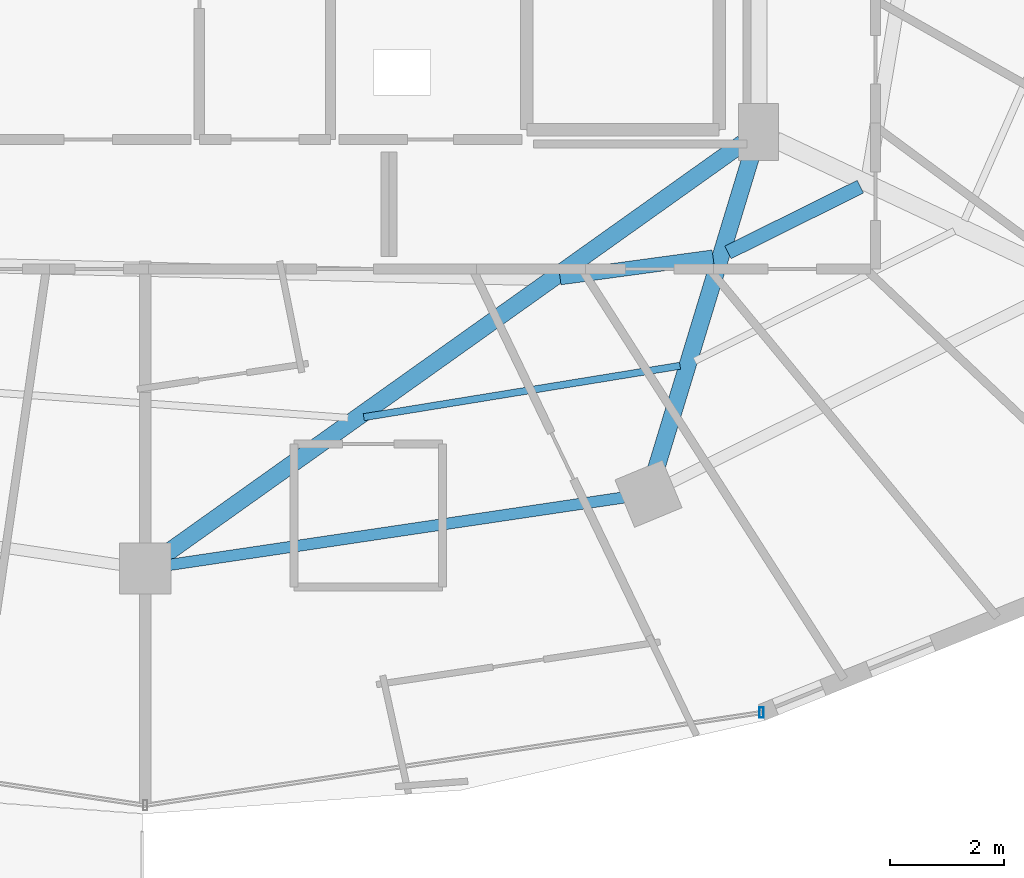
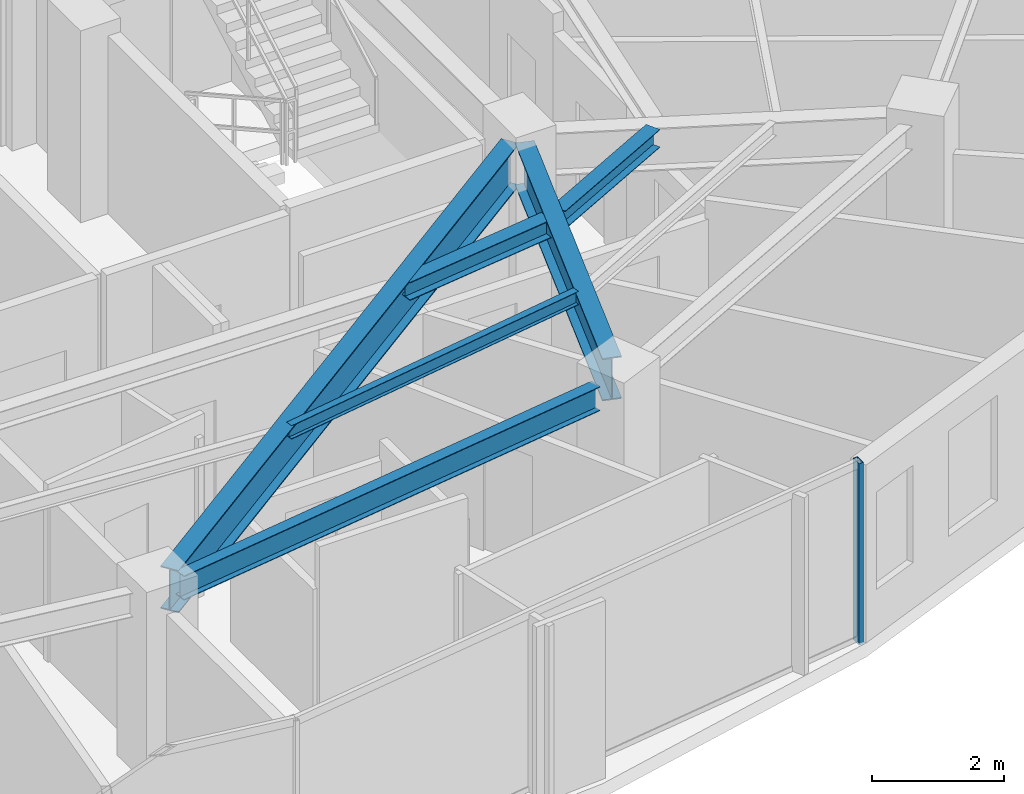
# One storey, part 11 of 33: 6 beams, 1 member, 1 element without a shape of its own.
"""IFC4 building model written with IfcOpenShell, lengths in metres."""

from ifc_helpers import new_model, si_unit, direction, frame, origin, origin_2d, place, context, subcontext, project, spatial, hollow_rectangle, i_section, extrude, material, material_profile, profile_set, type_object, element, aggregate, save


model = new_model("IFC4")

# Units and contexts
model_context = context("Model", 3, precision=1e-05, world=origin(), true_north=direction((0.0, 1.0)))
body_context = subcontext(model_context, "Body", "Model", "MODEL_VIEW")
ifc_project = project(units=[si_unit("LENGTHUNIT", "METRE"), si_unit("AREAUNIT", "SQUARE_METRE"), si_unit("VOLUMEUNIT", "CUBIC_METRE"), si_unit("PLANEANGLEUNIT", "RADIAN"), si_unit("MASSUNIT", "GRAM", prefix="KILO")], contexts=[model_context])

# Site, building, storey
site_placement = place(None, origin())
site = spatial("IfcSite", under=ifc_project, at=site_placement, CompositionType="ELEMENT")
building_placement = place(site_placement, origin())
building = spatial("IfcBuilding", under=site, at=building_placement, Name="Vorneva Point Tower", CompositionType="ELEMENT")
storey_placement = place(building_placement, frame((0.0, 0.0, 200.10009765625)))
storey = spatial("IfcBuildingStorey", under=building, at=storey_placement, Name="L54", CompositionType="ELEMENT", Elevation=200.10009765625)

# Beams
ifc_material_1 = material(Name="Steel S355", Category="steel")
ifc_material_profile_1 = material_profile(ifc_material_1, i_section(OverallWidth=0.300048828125, OverallDepth=0.7880859375, WebThickness=0.014404296875, FlangeThickness=0.02197265625, at=origin_2d()), Name="80Sh1")
ifc_profile_set_1 = profile_set([ifc_material_profile_1], Name="Steel S355")
beam_type_1 = type_object("IfcBeamType", Name="BM-GRD-80Sh1", PredefinedType="USERDEFINED", material=ifc_profile_set_1)
beam_1_placement = place(storey_placement, frame((38.35693359375, 9.053955078125, 2.89599609375), z_axis=(0.814749933852, 0.579812508737, 0.0), x_axis=(-0.579812508737, 0.814749933852, 0.0)))
element("IfcBeam", 1, at=beam_1_placement, inside=storey, type_object=beam_type_1, Name="L54 Radial Primary Girder 13", ObjectType="GIRDER", PredefinedType="USERDEFINED", context=body_context, shape_type="SweptSolid", body=[
    extrude(i_section(OverallWidth=0.300048828125, OverallDepth=0.7880859375, WebThickness=0.014404296875, FlangeThickness=0.02197265625, at=origin_2d()), origin(), (0.0, 0.0, 1.0), 12.416015625),
])
beam_2_placement = place(storey_placement, frame((46.948486328125, 10.5283203125, 2.89599609375), z_axis=(0.291025429135, 0.956715317948, 0.0), x_axis=(-0.956715317948, 0.291025429135, 0.0)))
element("IfcBeam", 2, at=beam_2_placement, inside=storey, type_object=beam_type_1, Name="L54 Radial Primary Girder 14", ObjectType="GIRDER", PredefinedType="USERDEFINED", context=body_context, shape_type="SweptSolid", body=[
    extrude(i_section(OverallWidth=0.300048828125, OverallDepth=0.7880859375, WebThickness=0.014404296875, FlangeThickness=0.02197265625, at=origin_2d()), origin(), (0.0, 0.0, 1.0), 5.849609375),
])
ifc_material_profile_2 = material_profile(ifc_material_1, i_section(OverallWidth=0.1240234375, OverallDepth=0.248046875, WebThickness=0.0048828125, FlangeThickness=0.008056640625, at=origin_2d()), Name="25B1")
ifc_profile_set_2 = profile_set([ifc_material_profile_2], Name="Steel S355")
beam_type_2 = type_object("IfcBeamType", Name="BM-JST-25B1", PredefinedType="JOIST", material=ifc_profile_set_2)
beam_3_placement = place(storey_placement, frame((41.831298828125, 11.451904296875, 3.166015625), z_axis=(0.987040600288, 0.160470724383, 0.0), x_axis=(-0.160470724383, 0.987040600288, 0.0)))
element("IfcBeam", 3, at=beam_3_placement, inside=storey, type_object=beam_type_2, Name="L54 Secondary Floor Beam 1.13", PredefinedType="JOIST", context=body_context, shape_type="SweptSolid", body=[
    extrude(i_section(OverallWidth=0.1240234375, OverallDepth=0.248046875, WebThickness=0.0048828125, FlangeThickness=0.008056640625, at=origin_2d()), origin(), (0.0, 0.0, 1.0), 5.615478515625),
])
ifc_material_profile_3 = material_profile(ifc_material_1, i_section(OverallWidth=0.2490234375, OverallDepth=0.333984375, WebThickness=0.008056640625, FlangeThickness=0.010986328125, at=origin_2d()), Name="35Sh1")
ifc_profile_set_3 = profile_set([ifc_material_profile_3], Name="Steel S355")
beam_type_3 = type_object("IfcBeamType", Name="BM-SEC-35Sh1", PredefinedType="BEAM", material=ifc_profile_set_3)
beam_4_placement = place(storey_placement, frame((45.271484375, 13.895751953125, 3.122802734375), z_axis=(0.990931477232, 0.134368178636, 0.0), x_axis=(-0.134368178636, 0.990931477232, 0.0)))
element("IfcBeam", 4, at=beam_4_placement, inside=storey, type_object=beam_type_3, Name="L54 Secondary Floor Beam 2.13", PredefinedType="BEAM", context=body_context, shape_type="SweptSolid", body=[
    extrude(i_section(OverallWidth=0.2490234375, OverallDepth=0.333984375, WebThickness=0.008056640625, FlangeThickness=0.010986328125, at=origin_2d()), origin(), (0.0, 0.0, 1.0), 2.705322265625),
])
beam_5_placement = place(storey_placement, frame((48.212646484375, 14.33935546875, 3.122802734375), z_axis=(0.895686614841, 0.444685830666, 0.0), x_axis=(-0.444685830666, 0.895686614841, 0.0)))
element("IfcBeam", 5, at=beam_5_placement, inside=storey, type_object=beam_type_3, Name="L54 Secondary Floor Beam 2.14", PredefinedType="BEAM", context=body_context, shape_type="SweptSolid", body=[
    extrude(i_section(OverallWidth=0.2490234375, OverallDepth=0.333984375, WebThickness=0.008056640625, FlangeThickness=0.010986328125, at=origin_2d()), origin(), (0.0, 0.0, 1.0), 2.59033203125),
])
ifc_material_profile_4 = material_profile(ifc_material_1, i_section(OverallWidth=0.198974609375, OverallDepth=0.446044921875, WebThickness=0.008056640625, FlangeThickness=0.011962890625, at=origin_2d()), Name="45B1")
ifc_profile_set_4 = profile_set([ifc_material_profile_4], Name="Steel S355")
beam_type_4 = type_object("IfcBeamType", Name="BM-SPN-45B1", PredefinedType="SPANDREL", material=ifc_profile_set_4)
beam_6_placement = place(storey_placement, frame((38.430419921875, 8.864013671875, 3.06689453125), z_axis=(0.989165476332, 0.146804837907, 0.0), x_axis=(-0.146804837907, 0.989165476332, 0.0)))
element("IfcBeam", 6, at=beam_6_placement, inside=storey, type_object=beam_type_4, Name="L54 Perimeter Spandrel Ring Beam 13", PredefinedType="SPANDREL", context=body_context, shape_type="SweptSolid", body=[
    extrude(i_section(OverallWidth=0.198974609375, OverallDepth=0.446044921875, WebThickness=0.008056640625, FlangeThickness=0.011962890625, at=origin_2d()), origin(), (0.0, 0.0, 1.0), 8.04736328125),
])

# Curtain wall, member
ifc_material_2 = material(Name="Pale anodised aluminium", Category="aluminium")
curtain_wall_type = type_object("IfcCurtainWallType", Name="CW-RES-SYS", PredefinedType="NOTDEFINED", material=ifc_material_2)
curtain_wall_placement = place(storey_placement, origin())
curtain_wall = element("IfcCurtainWall", 7, at=curtain_wall_placement, inside=storey, type_object=curtain_wall_type, Name="L54 Unitised Curtain Wall CW-L54-R03", PredefinedType="NOTDEFINED")
ifc_material_profile_5 = material_profile(ifc_material_2, hollow_rectangle(XDim=0.074951171875, YDim=0.179931640625, WallThickness=0.00390625, at=origin_2d()), Name="AL-MUL 180x75x4")
ifc_profile_set_5 = profile_set([ifc_material_profile_5], Name="Pale anodised aluminium")
member_type = type_object("IfcMemberType", Name="CW-MUL-180", PredefinedType="MULLION", material=ifc_profile_set_5)
member_placement = place(storey_placement, frame((48.80322265625, 6.275146484375, -0.0400390625), z_axis=(0.0, 0.0, 1.0), x_axis=(1.0, 0.0, 0.0)))
member = element("IfcMember", 8, at=member_placement, type_object=member_type, Name="CW-L54-R03 Mullion 05", PredefinedType="MULLION", context=body_context, shape_type="SweptSolid", body=[
    extrude(hollow_rectangle(XDim=0.074951171875, YDim=0.179931640625, WallThickness=0.00390625, at=origin_2d()), origin(), (0.0, 0.0, 1.0), 3.35986328125),
])
aggregate(curtain_wall, [member])

save(model, "model.ifc")
